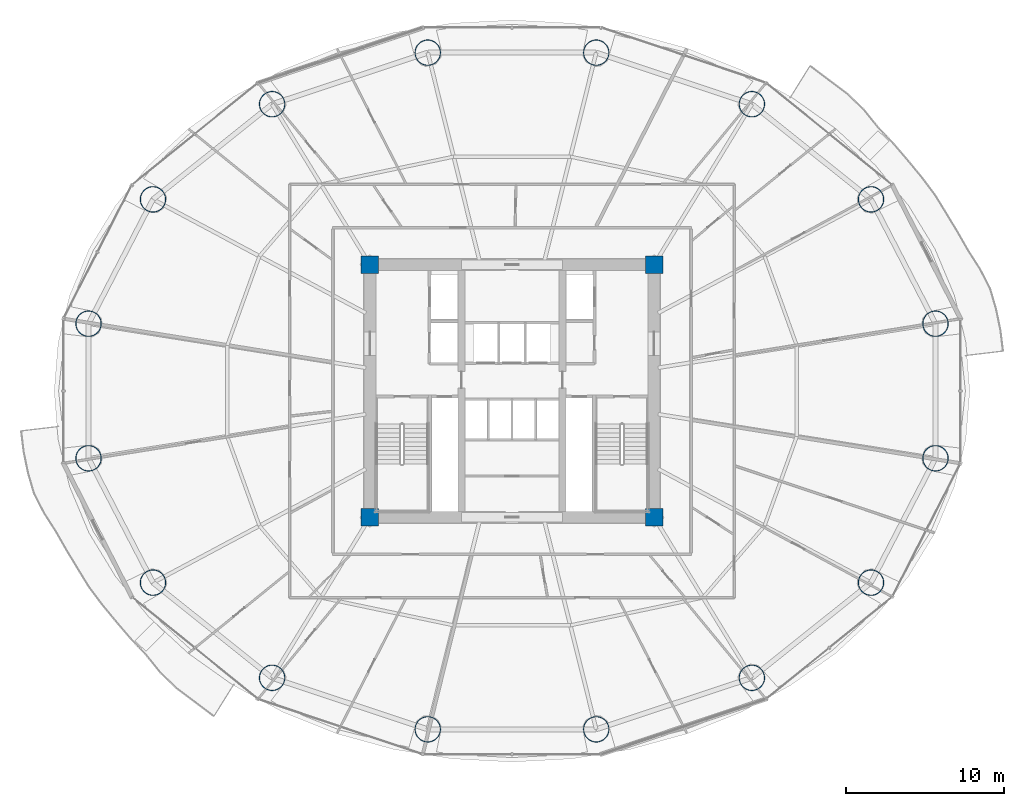
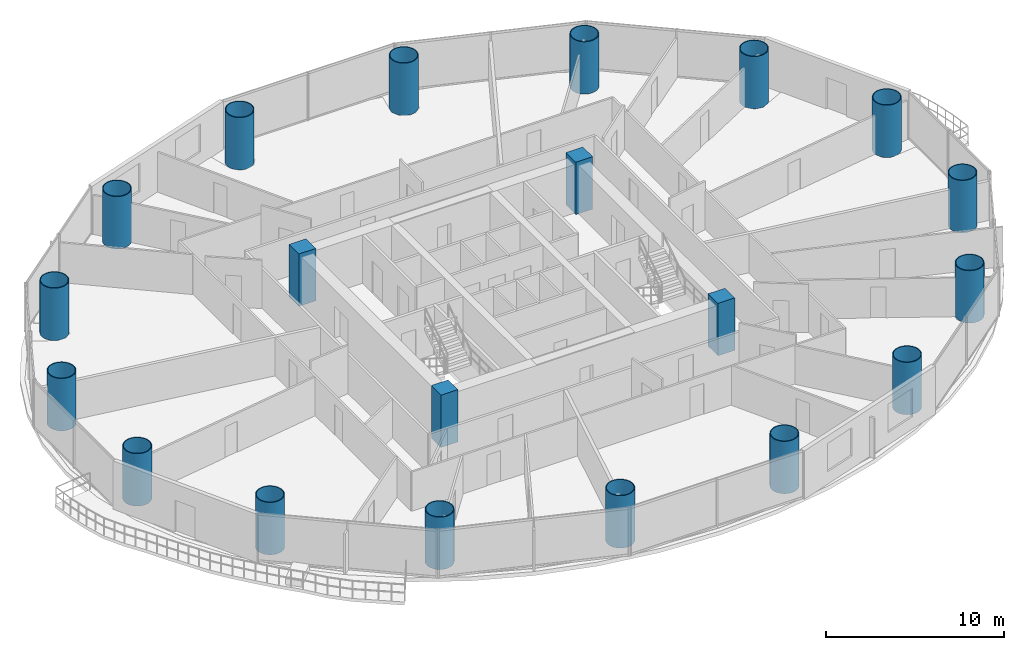
# One storey, part 1 of 30: 20 columns.
"""IFC4 building model written with IfcOpenShell, lengths in metres."""

from ifc_helpers import new_model, si_unit, direction, frame, origin, origin_2d, place, context, subcontext, project, spatial, rectangle, hollow_circle, extrude, material, material_profile, profile_set, type_object, element, save


model = new_model("IFC4")

# Units and contexts
model_context = context("Model", 3, precision=1e-05, world=origin(), true_north=direction((-0.2419218956, 0.970295726276)))
body_context = subcontext(model_context, "Body", "Model", "MODEL_VIEW")
ifc_project = project(units=[si_unit("LENGTHUNIT", "METRE"), si_unit("AREAUNIT", "SQUARE_METRE"), si_unit("VOLUMEUNIT", "CUBIC_METRE"), si_unit("PLANEANGLEUNIT", "RADIAN"), si_unit("MASSUNIT", "GRAM", prefix="KILO")], contexts=[model_context])

# Site, building, storey
site_placement = place(None, origin())
site = spatial("IfcSite", under=ifc_project, at=site_placement, CompositionType="ELEMENT")
building_placement = place(site_placement, origin())
building = spatial("IfcBuilding", under=site, at=building_placement, Name="Cobrevalo Terracotta Tower", CompositionType="ELEMENT")
storey_placement = place(building_placement, frame((0.0, 0.0, 27.60009765625)))
storey = spatial("IfcBuildingStorey", under=building, at=storey_placement, Name="L06", CompositionType="ELEMENT", Elevation=27.60009765625)

# Columns
ifc_material_1 = material(Name="Steel S355", Category="steel")
ifc_material_profile_1 = material_profile(ifc_material_1, hollow_circle(Radius=0.824951171875, WallThickness=0.050048828125, at=origin_2d()), Name="CHS 1650x50")
ifc_profile_set_1 = profile_set([ifc_material_profile_1], Name="Steel S355")
column_type_1 = type_object("IfcColumnType", Name="Structural Column CHS 1650x50 (Steel S355)", PredefinedType="COLUMN", material=ifc_profile_set_1)
for number, where, z_axis, x_axis, name in (
    (1, (64.824462890625, 31.062744140625, 0.0), (0.0, 0.0, 1.0), (1.0, 0.0, 0.0), "L06 composite megacolumn MC01"),
    (2, (60.74072265625, 38.939208984375, 0.0), (0.0, 0.0, 1.0), (1.0, 0.0, 0.0), "L06 composite megacolumn MC02"),
    (3, (53.19482421875, 44.967529296875, 0.0), (0.0, 0.0, 1.0), (1.0, 0.0, 0.0), "L06 composite megacolumn MC03"),
    (4, (43.335693359375, 48.230224609375, 0.0), (0.0, 0.0, 1.0), (1.0, 0.0, 0.0), "L06 composite megacolumn MC04"),
    (5, (32.664306640625, 48.230224609375, 0.0), (0.0, 0.0, 1.0), (1.0, 0.0, 0.0), "L06 composite megacolumn MC05"),
    (6, (22.80517578125, 44.967529296875, 0.0), (0.0, 0.0, 1.0), (1.0, 0.0, 0.0), "L06 composite megacolumn MC06"),
    (7, (15.25927734375, 38.939208984375, 0.0), (0.0, 0.0, 1.0), (1.0, 0.0, 0.0), "L06 composite megacolumn MC07"),
    (8, (11.175537109375, 31.062744140625, 0.0), (0.0, 0.0, 1.0), (1.0, 0.0, 0.0), "L06 composite megacolumn MC08"),
    (9, (11.175537109375, 22.537353515625, 0.0), (0.0, 0.0, 1.0), (1.0, 0.0, 0.0), "L06 composite megacolumn MC09"),
    (10, (15.25927734375, 14.660888671875, 0.0), (0.0, 0.0, 1.0), (1.0, 0.0, 0.0), "L06 composite megacolumn MC10"),
    (11, (22.80517578125, 8.63232421875, 0.0), (0.0, 0.0, 1.0), (1.0, 0.0, 0.0), "L06 composite megacolumn MC11"),
    (12, (32.664306640625, 5.369873046875, 0.0), (0.0, 0.0, 1.0), (1.0, 0.0, 0.0), "L06 composite megacolumn MC12"),
    (13, (43.335693359375, 5.369873046875, 0.0), (0.0, 0.0, 1.0), (1.0, 0.0, 0.0), "L06 composite megacolumn MC13"),
    (14, (53.19482421875, 8.63232421875, 0.0), (0.0, 0.0, 1.0), (1.0, 0.0, 0.0), "L06 composite megacolumn MC14"),
    (15, (60.74072265625, 14.660888671875, 0.0), (0.0, 0.0, 1.0), (1.0, 0.0, 0.0), "L06 composite megacolumn MC15"),
    (16, (64.824462890625, 22.537353515625, 0.0), (0.0, 0.0, 1.0), (1.0, 0.0, 0.0), "L06 composite megacolumn MC16"),
):
    element("IfcColumn", number, at=place(storey_placement, frame(where, z_axis=z_axis, x_axis=x_axis)), inside=storey, type_object=column_type_1, Name=name, PredefinedType="COLUMN", context=body_context, shape_type="SweptSolid", body=[
        extrude(hollow_circle(Radius=0.824951171875, WallThickness=0.050048828125, at=origin_2d()), origin(), (0.0, 0.0, 1.0), 3.599853515625),
    ])
ifc_material_2 = material(Name="Concrete C60", Category="concrete")
ifc_material_profile_2 = material_profile(ifc_material_2, rectangle(XDim=1.10009765625, YDim=1.10009765625, at=origin_2d()), Name="RC COL 1100x1100")
ifc_profile_set_2 = profile_set([ifc_material_profile_2], Name="Concrete C60")
column_type_2 = type_object("IfcColumnType", Name="Structural Column RC COL 1100x1100 (Concrete C60)", PredefinedType="COLUMN", material=ifc_profile_set_2)
for number, where, z_axis, x_axis, name in (
    (17, (29.0, 18.800048828125, 0.0), (0.0, 0.0, 1.0), (1.0, 0.0, 0.0), "L06 core corner column CC1"),
    (18, (47.0, 18.800048828125, 0.0), (0.0, 0.0, 1.0), (1.0, 0.0, 0.0), "L06 core corner column CC2"),
    (19, (47.0, 34.800048828125, 0.0), (0.0, 0.0, 1.0), (1.0, 0.0, 0.0), "L06 core corner column CC3"),
    (20, (29.0, 34.800048828125, 0.0), (0.0, 0.0, 1.0), (1.0, 0.0, 0.0), "L06 core corner column CC4"),
):
    element("IfcColumn", number, at=place(storey_placement, frame(where, z_axis=z_axis, x_axis=x_axis)), inside=storey, type_object=column_type_2, Name=name, PredefinedType="COLUMN", context=body_context, shape_type="SweptSolid", body=[
        extrude(rectangle(XDim=1.10009765625, YDim=1.10009765625, at=origin_2d()), origin(), (0.0, 0.0, 1.0), 3.599853515625),
    ])

save(model, "model.ifc")
